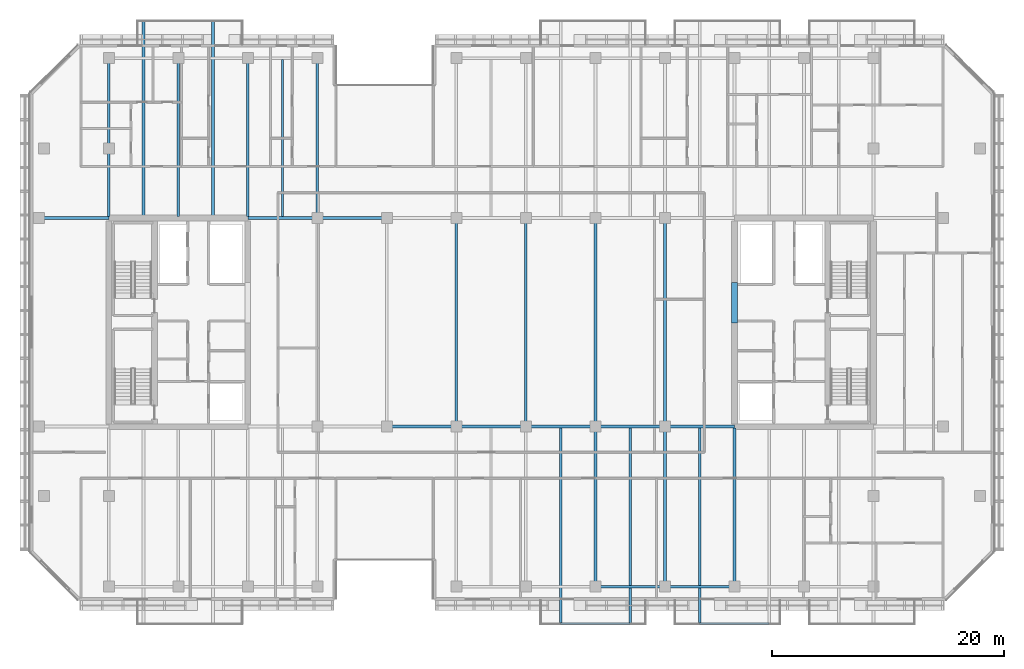
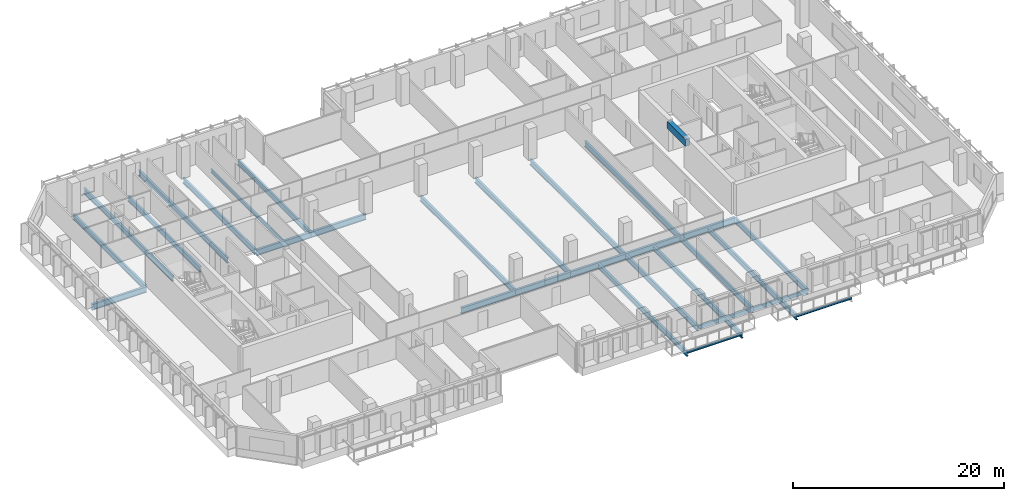
# One storey, part 5 of 23: 30 beams.
"""IFC4 building model written with IfcOpenShell, lengths in metres."""

from ifc_helpers import new_model, si_unit, direction, frame, origin, origin_2d, place, context, subcontext, project, spatial, rectangle, hollow_rectangle, i_section, extrude, material, material_profile, profile_set, type_object, element, save


model = new_model("IFC4")

# Units and contexts
model_context = context("Model", 3, precision=1e-05, world=origin(), true_north=direction((0.0, 1.0)))
body_context = subcontext(model_context, "Body", "Model", "MODEL_VIEW")
ifc_project = project(units=[si_unit("LENGTHUNIT", "METRE"), si_unit("AREAUNIT", "SQUARE_METRE"), si_unit("VOLUMEUNIT", "CUBIC_METRE"), si_unit("PLANEANGLEUNIT", "RADIAN"), si_unit("MASSUNIT", "GRAM", prefix="KILO")], contexts=[model_context])

# Site, building, storey
site_placement = place(None, origin())
site = spatial("IfcSite", under=ifc_project, at=site_placement, CompositionType="ELEMENT")
building_placement = place(site_placement, origin())
building = spatial("IfcBuilding", under=site, at=building_placement, Name="Tanjung Sevakor Pilgrim Tower", CompositionType="ELEMENT")
storey_placement = place(building_placement, frame((0.0, 0.0, 119.4599609375)))
storey = spatial("IfcBuildingStorey", under=building, at=storey_placement, Name="L33", CompositionType="ELEMENT", Elevation=119.4599609375)

# Beams
ifc_material_1 = material(Name="Steel S355J2", Category="steel")
ifc_material_profile_1 = material_profile(ifc_material_1, i_section(OverallWidth=0.25439453125, OverallDepth=0.6875, WebThickness=0.01318359375, FlangeThickness=0.02099609375, FilletRadius=0.01513671875, at=origin_2d()))
ifc_profile_set_1 = profile_set([ifc_material_profile_1], Name="Steel S355J2")
beam_type_1 = type_object("IfcBeamType", Name="BM-B-G2-UB_686x254x152", PredefinedType="BEAM", material=ifc_profile_set_1)
for number, where, z_axis, x_axis, name in (
    (1, (48.0, 24.60009765625, -0.563720703125), (1.0, 0.0, 0.0), (0.0, 1.0, 0.0), "L33 Primary Floor Girder MAIN Y246-04"),
    (2, (54.0, 24.60009765625, -0.563720703125), (1.0, 0.0, 0.0), (0.0, 1.0, 0.0), "L33 Primary Floor Girder MAIN Y246-05"),
    (3, (60.0, 24.60009765625, -0.563720703125), (1.0, 0.0, 0.0), (0.0, 1.0, 0.0), "L33 Primary Floor Girder MAIN Y246-06"),
    (4, (66.0, 24.60009765625, -0.563720703125), (1.0, 0.0, 0.0), (0.0, 1.0, 0.0), "L33 Primary Floor Girder MAIN Y246-07"),
    (5, (72.0, 24.60009765625, -0.563720703125), (1.0, 0.0, 0.0), (0.0, 1.0, 0.0), "L33 Primary Floor Girder MAIN Y246-08"),
    (6, (18.0, 42.60009765625, -0.563720703125), (1.0, 0.0, 0.0), (0.0, 1.0, 0.0), "L33 Primary Floor Girder MAIN Y426-01"),
    (7, (36.0, 42.60009765625, -0.563720703125), (1.0, 0.0, 0.0), (0.0, 1.0, 0.0), "L33 Primary Floor Girder MAIN Y426-02"),
    (8, (42.0, 42.60009765625, -0.563720703125), (1.0, 0.0, 0.0), (0.0, 1.0, 0.0), "L33 Primary Floor Girder MAIN Y426-03"),
):
    element("IfcBeam", number, at=place(storey_placement, frame(where, z_axis=z_axis, x_axis=x_axis)), inside=storey, type_object=beam_type_1, Name=name, PredefinedType="BEAM", context=body_context, shape_type="SweptSolid", body=[
        extrude(i_section(OverallWidth=0.25439453125, OverallDepth=0.6875, WebThickness=0.01318359375, FlangeThickness=0.02099609375, FilletRadius=0.01513671875, at=origin_2d()), origin(), (0.0, 0.0, 1.0), 6.0),
    ])
ifc_material_2 = material(Name="Steel S355J2", Category="steel")
ifc_material_profile_2 = material_profile(ifc_material_2, i_section(OverallWidth=0.230224609375, OverallDepth=0.6171875, WebThickness=0.01318359375, FlangeThickness=0.022216796875, FilletRadius=0.0126953125, at=origin_2d()))
ifc_profile_set_2 = profile_set([ifc_material_profile_2], Name="Steel S355J2")
beam_type_2 = type_object("IfcBeamType", Name="BM-B-G3-UB_610x229x140", PredefinedType="BEAM", material=ifc_profile_set_2)
for number, where, z_axis, x_axis, name in (
    (9, (24.0, 42.727294921875, -0.528564453125), (0.0, 1.0, 0.0), (-1.0, 0.0, 0.0), "L33 MAIN Girder 002"),
    (10, (30.0, 42.727294921875, -0.528564453125), (0.0, 1.0, 0.0), (-1.0, 0.0, 0.0), "L33 MAIN Girder 004"),
    (11, (36.0, 42.727294921875, -0.528564453125), (0.0, 1.0, 0.0), (-1.0, 0.0, 0.0), "L33 MAIN Girder 006"),
):
    element("IfcBeam", number, at=place(storey_placement, frame(where, z_axis=z_axis, x_axis=x_axis)), inside=storey, type_object=beam_type_2, Name=name, PredefinedType="BEAM", context=body_context, shape_type="SweptSolid", body=[
        extrude(i_section(OverallWidth=0.230224609375, OverallDepth=0.6171875, WebThickness=0.01318359375, FlangeThickness=0.022216796875, FilletRadius=0.0126953125, at=origin_2d()), origin(), (0.0, 0.0, 1.0), 13.672607421875),
    ])
beam_1_placement = place(storey_placement, frame((42.0, 42.60009765625, -0.528564453125), z_axis=(0.0, 1.0, 0.0), x_axis=(-1.0, 0.0, 0.0)))
element("IfcBeam", 12, at=beam_1_placement, inside=storey, type_object=beam_type_2, Name="L33 MAIN Girder 011", PredefinedType="BEAM", context=body_context, shape_type="SweptSolid", body=[
    extrude(i_section(OverallWidth=0.230224609375, OverallDepth=0.6171875, WebThickness=0.01318359375, FlangeThickness=0.022216796875, FilletRadius=0.0126953125, at=origin_2d()), origin(), (0.0, 0.0, 1.0), 13.7998046875),
])
for number, where, z_axis, x_axis, name in (
    (13, (54.0, 24.60009765625, -0.528564453125), (0.0, 1.0, 0.0), (-1.0, 0.0, 0.0), "L33 MAIN Girder 014"),
    (14, (60.0, 24.60009765625, -0.528564453125), (0.0, 1.0, 0.0), (-1.0, 0.0, 0.0), "L33 MAIN Girder 019"),
):
    element("IfcBeam", number, at=place(storey_placement, frame(where, z_axis=z_axis, x_axis=x_axis)), inside=storey, type_object=beam_type_2, Name=name, PredefinedType="BEAM", context=body_context, shape_type="SweptSolid", body=[
        extrude(i_section(OverallWidth=0.230224609375, OverallDepth=0.6171875, WebThickness=0.01318359375, FlangeThickness=0.022216796875, FilletRadius=0.0126953125, at=origin_2d()), origin(), (0.0, 0.0, 1.0), 18.0),
    ])
beam_2_placement = place(storey_placement, frame((66.0, 10.800048828125, -0.528564453125), z_axis=(0.0, 1.0, 0.0), x_axis=(-1.0, 0.0, 0.0)))
element("IfcBeam", 15, at=beam_2_placement, inside=storey, type_object=beam_type_2, Name="L33 MAIN Girder 021", PredefinedType="BEAM", context=body_context, shape_type="SweptSolid", body=[
    extrude(i_section(OverallWidth=0.230224609375, OverallDepth=0.6171875, WebThickness=0.01318359375, FlangeThickness=0.022216796875, FilletRadius=0.0126953125, at=origin_2d()), origin(), (0.0, 0.0, 1.0), 13.800048828125),
])
beam_3_placement = place(storey_placement, frame((66.0, 24.60009765625, -0.528564453125), z_axis=(0.0, 1.0, 0.0), x_axis=(-1.0, 0.0, 0.0)))
element("IfcBeam", 16, at=beam_3_placement, inside=storey, type_object=beam_type_2, Name="L33 MAIN Girder 022", PredefinedType="BEAM", context=body_context, shape_type="SweptSolid", body=[
    extrude(i_section(OverallWidth=0.230224609375, OverallDepth=0.6171875, WebThickness=0.01318359375, FlangeThickness=0.022216796875, FilletRadius=0.0126953125, at=origin_2d()), origin(), (0.0, 0.0, 1.0), 18.0),
])
beam_4_placement = place(storey_placement, frame((72.0, 10.800048828125, -0.528564453125), z_axis=(0.0, 1.0, 0.0), x_axis=(-1.0, 0.0, 0.0)))
element("IfcBeam", 17, at=beam_4_placement, inside=storey, type_object=beam_type_2, Name="L33 MAIN Girder 024", PredefinedType="BEAM", context=body_context, shape_type="SweptSolid", body=[
    extrude(i_section(OverallWidth=0.230224609375, OverallDepth=0.6171875, WebThickness=0.01318359375, FlangeThickness=0.022216796875, FilletRadius=0.0126953125, at=origin_2d()), origin(), (0.0, 0.0, 1.0), 13.800048828125),
])
beam_5_placement = place(storey_placement, frame((72.0, 24.60009765625, -0.528564453125), z_axis=(0.0, 1.0, 0.0), x_axis=(-1.0, 0.0, 0.0)))
element("IfcBeam", 18, at=beam_5_placement, inside=storey, type_object=beam_type_2, Name="L33 MAIN Girder 025", PredefinedType="BEAM", context=body_context, shape_type="SweptSolid", body=[
    extrude(i_section(OverallWidth=0.230224609375, OverallDepth=0.6171875, WebThickness=0.01318359375, FlangeThickness=0.022216796875, FilletRadius=0.0126953125, at=origin_2d()), origin(), (0.0, 0.0, 1.0), 18.0),
])
beam_6_placement = place(storey_placement, frame((78.0, 10.800048828125, -0.528564453125), z_axis=(0.0, 1.0, 0.0), x_axis=(-1.0, 0.0, 0.0)))
element("IfcBeam", 19, at=beam_6_placement, inside=storey, type_object=beam_type_2, Name="L33 MAIN Girder 027", PredefinedType="BEAM", context=body_context, shape_type="SweptSolid", body=[
    extrude(i_section(OverallWidth=0.230224609375, OverallDepth=0.6171875, WebThickness=0.01318359375, FlangeThickness=0.022216796875, FilletRadius=0.0126953125, at=origin_2d()), origin(), (0.0, 0.0, 1.0), 13.672607421875),
])
ifc_material_3 = material(Name="Steel S355J2", Category="steel")
ifc_material_profile_3 = material_profile(ifc_material_3, i_section(OverallWidth=0.22900390625, OverallDepth=0.6123046875, WebThickness=0.011962890625, FlangeThickness=0.01953125, FilletRadius=0.0126953125, at=origin_2d()))
ifc_profile_set_3 = profile_set([ifc_material_profile_3], Name="Steel S355J2")
beam_type_3 = type_object("IfcBeamType", Name="BM-B-G4-UB_610x229x125", PredefinedType="BEAM", material=ifc_profile_set_3)
for number, where, z_axis, x_axis, name in (
    (20, (27.0, 42.727294921875, -0.526123046875), (0.0, 1.0, 0.0), (-1.0, 0.0, 0.0), "L33 Balcony Cantilever Beam MAIN-N1-1"),
    (21, (33.0, 42.727294921875, -0.526123046875), (0.0, 1.0, 0.0), (-1.0, 0.0, 0.0), "L33 Balcony Cantilever Beam MAIN-N1-2"),
):
    element("IfcBeam", number, at=place(storey_placement, frame(where, z_axis=z_axis, x_axis=x_axis)), inside=storey, type_object=beam_type_3, Name=name, PredefinedType="BEAM", context=body_context, shape_type="SweptSolid", body=[
        extrude(i_section(OverallWidth=0.22900390625, OverallDepth=0.6123046875, WebThickness=0.011962890625, FlangeThickness=0.01953125, FilletRadius=0.0126953125, at=origin_2d()), origin(), (0.0, 0.0, 1.0), 16.852783203125),
    ])
for number, where, z_axis, x_axis, name in (
    (22, (63.0, 24.47265625, -0.526123046875), (0.0, -1.0, 0.0), (1.0, 0.0, 0.0), "L33 Balcony Cantilever Beam MAIN-S2-1"),
    (23, (69.0, 24.47265625, -0.526123046875), (0.0, -1.0, 0.0), (1.0, 0.0, 0.0), "L33 Balcony Cantilever Beam MAIN-S2-2"),
    (24, (75.0, 24.47265625, -0.526123046875), (0.0, -1.0, 0.0), (1.0, 0.0, 0.0), "L33 Balcony Cantilever Beam MAIN-S3-1"),
):
    element("IfcBeam", number, at=place(storey_placement, frame(where, z_axis=z_axis, x_axis=x_axis)), inside=storey, type_object=beam_type_3, Name=name, PredefinedType="BEAM", context=body_context, shape_type="SweptSolid", body=[
        extrude(i_section(OverallWidth=0.22900390625, OverallDepth=0.6123046875, WebThickness=0.011962890625, FlangeThickness=0.01953125, FilletRadius=0.0126953125, at=origin_2d()), origin(), (0.0, 0.0, 1.0), 16.8525390625),
    ])
ifc_material_4 = material(Name="Steel S355J2", Category="steel")
ifc_material_profile_4 = material_profile(ifc_material_4, i_section(OverallWidth=0.1787109375, OverallDepth=0.409423828125, WebThickness=0.0087890625, FlangeThickness=0.014404296875, FilletRadius=0.01025390625, at=origin_2d()))
ifc_profile_set_4 = profile_set([ifc_material_profile_4], Name="Steel S355J2")
beam_type_4 = type_object("IfcBeamType", Name="BM-B-J3-UB_406x178x67", PredefinedType="JOIST", material=ifc_profile_set_4)
beam_7_placement = place(storey_placement, frame((39.0, 42.727294921875, -0.424560546875), z_axis=(0.0, 1.0, 0.0), x_axis=(-1.0, 0.0, 0.0)))
element("IfcBeam", 25, at=beam_7_placement, inside=storey, type_object=beam_type_4, Name="L33 MAIN Joist 008", PredefinedType="JOIST", context=body_context, shape_type="SweptSolid", body=[
    extrude(i_section(OverallWidth=0.1787109375, OverallDepth=0.409423828125, WebThickness=0.0087890625, FlangeThickness=0.014404296875, FilletRadius=0.01025390625, at=origin_2d()), origin(), (0.0, 0.0, 1.0), 13.57275390625),
])
ifc_material_5 = material(Name="Steel S355J2", Category="steel")
ifc_material_profile_5 = material_profile(ifc_material_5, i_section(OverallWidth=0.146484375, OverallDepth=0.256103515625, WebThickness=0.00634765625, FlangeThickness=0.010986328125, FilletRadius=0.007568359375, at=origin_2d()))
ifc_profile_set_5 = profile_set([ifc_material_profile_5], Name="Steel S355J2")
beam_type_5 = type_object("IfcBeamType", Name="BM-B-J6-UB_254x146x37", PredefinedType="JOIST", material=ifc_profile_set_5)
for number, where, z_axis, x_axis, name in (
    (26, (63.0, 7.6201171875, -0.327880859375), (1.0, 0.0, 0.0), (0.0, 1.0, 0.0), "L33 Balcony Rim Tie MAIN-S2"),
    (27, (75.0, 7.6201171875, -0.327880859375), (1.0, 0.0, 0.0), (0.0, 1.0, 0.0), "L33 Balcony Rim Tie MAIN-S3"),
):
    element("IfcBeam", number, at=place(storey_placement, frame(where, z_axis=z_axis, x_axis=x_axis)), inside=storey, type_object=beam_type_5, Name=name, PredefinedType="JOIST", context=body_context, shape_type="SweptSolid", body=[
        extrude(i_section(OverallWidth=0.146484375, OverallDepth=0.256103515625, WebThickness=0.00634765625, FlangeThickness=0.010986328125, FilletRadius=0.007568359375, at=origin_2d()), origin(), (0.0, 0.0, 1.0), 6.0),
    ])
ifc_material_6 = material(Name="Concrete C60/75", Category="concrete")
ifc_material_profile_6 = material_profile(ifc_material_6, rectangle(XDim=0.5, YDim=0.800048828125, at=origin_2d()))
ifc_profile_set_6 = profile_set([ifc_material_profile_6], Name="Concrete C60/75")
beam_type_6 = type_object("IfcBeamType", Name="BM-B-LN2-RC-BM_500x800", PredefinedType="LINTEL", material=ifc_profile_set_6)
beam_8_placement = place(storey_placement, frame((78.0, 33.550048828125, 2.949951171875), z_axis=(0.0, 1.0, 0.0), x_axis=(-1.0, 0.0, 0.0)))
element("IfcBeam", 28, at=beam_8_placement, inside=storey, type_object=beam_type_6, Name="L33 E Core Coupling Lintel", PredefinedType="LINTEL", context=body_context, shape_type="SweptSolid", body=[
    extrude(rectangle(XDim=0.5, YDim=0.800048828125, at=origin_2d()), origin(), (0.0, 0.0, 1.0), 3.5),
])
ifc_material_7 = material(Name="Steel S355J2", Category="steel")
ifc_material_profile_7 = material_profile(ifc_material_7, hollow_rectangle(XDim=0.199951171875, YDim=0.39990234375, WallThickness=0.01611328125, at=origin_2d()))
ifc_profile_set_7 = profile_set([ifc_material_profile_7], Name="Steel S355J2")
beam_type_7 = type_object("IfcBeamType", Name="BM-B-SP2-RHS_400x200x16", PredefinedType="SPANDREL", material=ifc_profile_set_7)
for number, where, z_axis, x_axis, name in (
    (29, (66.0, 10.800048828125, -0.419921875), (1.0, 0.0, 0.0), (0.0, 1.0, 0.0), "L33 Spandrel MAIN S-11"),
    (30, (72.0, 10.800048828125, -0.419921875), (1.0, 0.0, 0.0), (0.0, 1.0, 0.0), "L33 Spandrel MAIN S-13"),
):
    element("IfcBeam", number, at=place(storey_placement, frame(where, z_axis=z_axis, x_axis=x_axis)), inside=storey, type_object=beam_type_7, Name=name, PredefinedType="SPANDREL", context=body_context, shape_type="SweptSolid", body=[
        extrude(hollow_rectangle(XDim=0.199951171875, YDim=0.39990234375, WallThickness=0.01611328125, at=origin_2d()), origin(), (0.0, 0.0, 1.0), 6.0),
    ])

save(model, "model.ifc")
